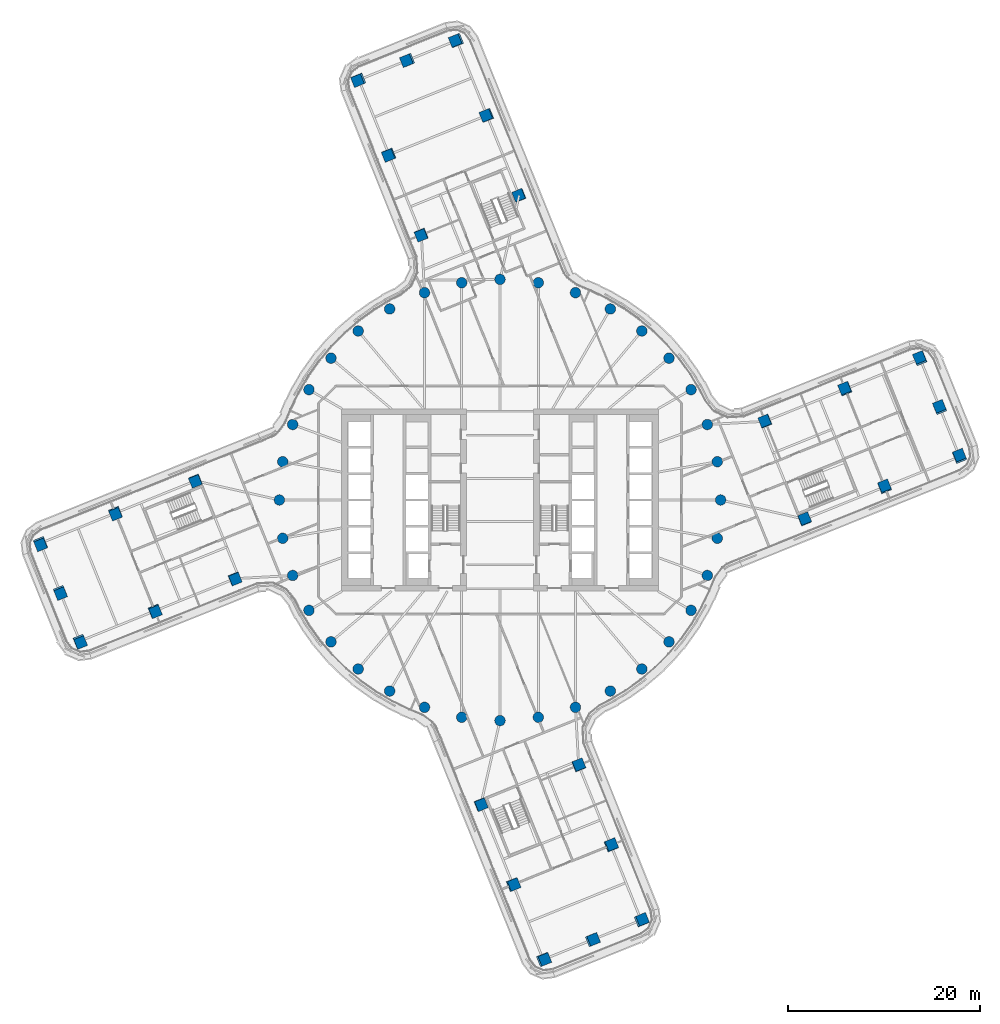
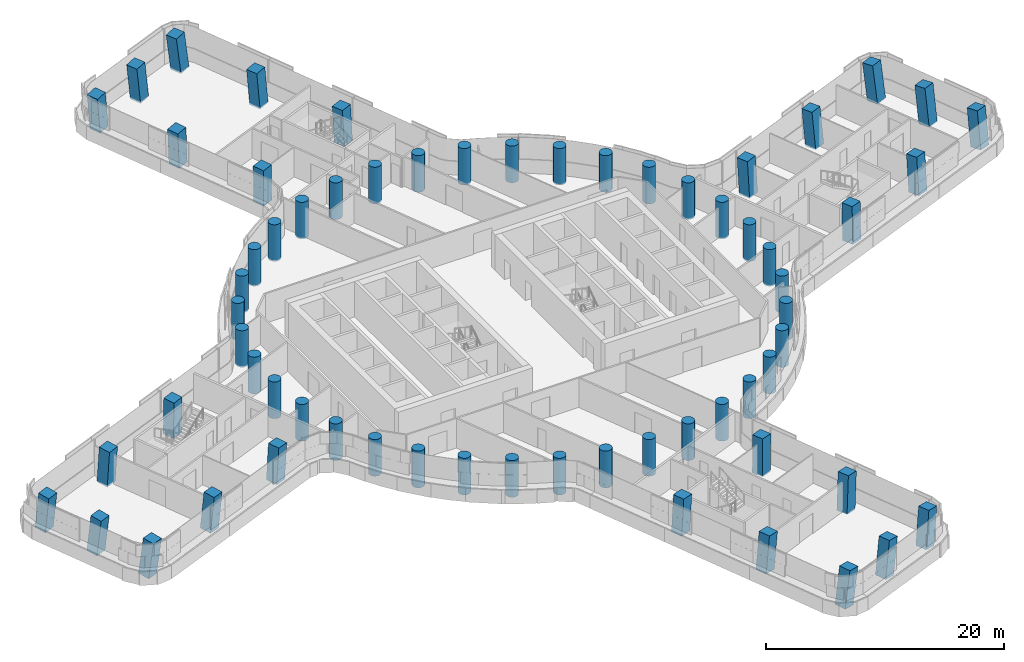
# One storey, part 1 of 32: 64 columns.
"""IFC4 building model written with IfcOpenShell, lengths in metres."""

from ifc_helpers import new_model, si_unit, direction, frame, origin, origin_2d, place, context, subcontext, project, spatial, rectangle, circle, extrude, material, material_profile, profile_set, type_object, element, save


model = new_model("IFC4")

# Units and contexts
model_context = context("Model", 3, precision=1e-05, world=origin(), true_north=direction((0.0, 1.0)))
body_context = subcontext(model_context, "Body", "Model", "MODEL_VIEW")
ifc_project = project(units=[si_unit("LENGTHUNIT", "METRE"), si_unit("AREAUNIT", "SQUARE_METRE"), si_unit("VOLUMEUNIT", "CUBIC_METRE"), si_unit("PLANEANGLEUNIT", "RADIAN"), si_unit("MASSUNIT", "GRAM", prefix="KILO")], contexts=[model_context])

# Site, building, storey
site_placement = place(None, origin())
site = spatial("IfcSite", under=ifc_project, at=site_placement, CompositionType="ELEMENT")
building_placement = place(site_placement, origin())
building = spatial("IfcBuilding", under=site, at=building_placement, Name="Tamarind Cross Interchange Tower", CompositionType="ELEMENT")
storey_placement = place(building_placement, frame((0.0, 0.0, 113.5)))
storey = spatial("IfcBuildingStorey", under=building, at=storey_placement, Name="L27", CompositionType="ELEMENT", Elevation=113.5)

# Columns
ifc_material = material(Name="Concrete C65", Category="concrete")
ifc_material_profile_1 = material_profile(ifc_material, rectangle(XDim=1.10009765625, YDim=1.10009765625, at=origin_2d()), Name="RC 1100x1100")
ifc_profile_set_1 = profile_set([ifc_material_profile_1], Name="Concrete C65")
column_type_1 = type_object("IfcColumnType", Name="Column RC 1100x1100 Concrete C65", PredefinedType="COLUMN", material=ifc_profile_set_1)
for number, where, z_axis, x_axis, name in (
    (1, (35.99169921875, 11.56591796875, -0.138427734375), (-0.056599028599, 0.067243800032, 0.996129921907), (0.371080049848, -0.92483768526, 0.08351558255), "Column L27-036"),
    (2, (40.10205078125, 1.362548828125, -0.138427734375), (-0.007399385984, 0.087624307707, 0.996126111387), (-0.927665611435, -0.37251425989, 0.025877394354), "Column L27-037"),
):
    element("IfcColumn", number, at=place(storey_placement, frame(where, z_axis=z_axis, x_axis=x_axis)), inside=storey, type_object=column_type_1, Name=name, PredefinedType="COLUMN", context=body_context, shape_type="SweptSolid", body=[
        extrude(rectangle(XDim=1.10009765625, YDim=1.10009765625, at=origin_2d()), origin(), (0.0, 0.0, 1.0), 3.761474609375),
    ])
for number, where, z_axis, x_axis, name in (
    (3, (27.643798828125, 8.202880859375, -0.138671875), (-0.040085930267, 0.027071017843, 0.998829454005), (0.372426997279, -0.927195791465, 0.040076127407), "Column L27-038"),
    (4, (31.75390625, -2.000244140625, -0.138671875), (0.009305674639, 0.047439418264, 0.998830769457), (-0.927649218713, -0.37252297939, 0.026335467474), "Column L27-039"),
):
    element("IfcColumn", number, at=place(storey_placement, frame(where, z_axis=z_axis, x_axis=x_axis)), inside=storey, type_object=column_type_1, Name=name, PredefinedType="COLUMN", context=body_context, shape_type="SweptSolid", body=[
        extrude(rectangle(XDim=1.10009765625, YDim=1.10009765625, at=origin_2d()), origin(), (0.0, 0.0, 1.0), 3.751708984375),
    ])
column_1_placement = place(storey_placement, frame((47.91259765625, 4.509033203125, -0.138427734375), z_axis=(-0.014796718148, 0.128195147627, 0.991638573905), x_axis=(-0.927823152066, -0.371451540908, 0.03417530171)))
element("IfcColumn", 5, at=column_1_placement, inside=storey, type_object=column_type_1, Name="Column L27-040", PredefinedType="COLUMN", context=body_context, shape_type="SweptSolid", body=[
    extrude(rectangle(XDim=1.10009765625, YDim=1.10009765625, at=origin_2d()), origin(), (0.0, 0.0, 1.0), 3.7783203125),
])
column_2_placement = place(storey_placement, frame((45.857666015625, 9.610595703125, -0.138671875), z_axis=(-0.039368184638, 0.118104553915, 0.992220469645), x_axis=(-0.927593385766, -0.37351292418, 0.007655465538)))
element("IfcColumn", 6, at=column_2_placement, inside=storey, type_object=column_type_1, Name="Column L27-041", PredefinedType="COLUMN", context=body_context, shape_type="SweptSolid", body=[
    extrude(rectangle(XDim=1.10009765625, YDim=1.10009765625, at=origin_2d()), origin(), (0.0, 0.0, 1.0), 3.776611328125),
])
column_3_placement = place(storey_placement, frame((43.802490234375, 14.712158203125, -0.138671875), z_axis=(-0.063860304902, 0.108006649283, 0.992096983751), x_axis=(0.369619760998, -0.920866068237, 0.124044010938)))
element("IfcColumn", 7, at=column_3_placement, inside=storey, type_object=column_type_1, Name="Column L27-042", PredefinedType="COLUMN", context=body_context, shape_type="SweptSolid", body=[
    extrude(rectangle(XDim=1.10009765625, YDim=1.10009765625, at=origin_2d()), origin(), (0.0, 0.0, 1.0), 3.777099609375),
])
for number, where, z_axis, x_axis, name in (
    (8, (-11.56591796875, 35.99169921875, -0.138427734375), (-0.067243800032, -0.056599028599, 0.996129921907), (0.92483768526, 0.371080049848, 0.08351558255), "Column L27-043"),
    (9, (-1.362548828125, 40.10205078125, -0.138427734375), (-0.087624307707, -0.007399385984, 0.996126111387), (0.37251425989, -0.927665611435, 0.025877394354), "Column L27-044"),
):
    element("IfcColumn", number, at=place(storey_placement, frame(where, z_axis=z_axis, x_axis=x_axis)), inside=storey, type_object=column_type_1, Name=name, PredefinedType="COLUMN", context=body_context, shape_type="SweptSolid", body=[
        extrude(rectangle(XDim=1.10009765625, YDim=1.10009765625, at=origin_2d()), origin(), (0.0, 0.0, 1.0), 3.761474609375),
    ])
for number, where, z_axis, x_axis, name in (
    (10, (-8.202880859375, 27.643798828125, -0.138671875), (-0.027071017843, -0.040085930267, 0.998829454005), (0.927195791465, 0.372426997279, 0.040076127407), "Column L27-045"),
    (11, (2.000244140625, 31.75390625, -0.138671875), (-0.047439418264, 0.009305674639, 0.998830769457), (0.37252297939, -0.927649218713, 0.026335467474), "Column L27-046"),
):
    element("IfcColumn", number, at=place(storey_placement, frame(where, z_axis=z_axis, x_axis=x_axis)), inside=storey, type_object=column_type_1, Name=name, PredefinedType="COLUMN", context=body_context, shape_type="SweptSolid", body=[
        extrude(rectangle(XDim=1.10009765625, YDim=1.10009765625, at=origin_2d()), origin(), (0.0, 0.0, 1.0), 3.751708984375),
    ])
column_4_placement = place(storey_placement, frame((-4.509033203125, 47.91259765625, -0.138427734375), z_axis=(-0.128195147627, -0.014796718148, 0.991638573905), x_axis=(0.371451540908, -0.927823152066, 0.03417530171)))
element("IfcColumn", 12, at=column_4_placement, inside=storey, type_object=column_type_1, Name="Column L27-047", PredefinedType="COLUMN", context=body_context, shape_type="SweptSolid", body=[
    extrude(rectangle(XDim=1.10009765625, YDim=1.10009765625, at=origin_2d()), origin(), (0.0, 0.0, 1.0), 3.7783203125),
])
column_5_placement = place(storey_placement, frame((-9.610595703125, 45.857666015625, -0.138671875), z_axis=(-0.118104553915, -0.039368184638, 0.992220469645), x_axis=(0.37351292418, -0.927593385766, 0.007655465538)))
element("IfcColumn", 13, at=column_5_placement, inside=storey, type_object=column_type_1, Name="Column L27-048", PredefinedType="COLUMN", context=body_context, shape_type="SweptSolid", body=[
    extrude(rectangle(XDim=1.10009765625, YDim=1.10009765625, at=origin_2d()), origin(), (0.0, 0.0, 1.0), 3.776611328125),
])
column_6_placement = place(storey_placement, frame((-14.712158203125, 43.802490234375, -0.138671875), z_axis=(-0.108006649283, -0.063860304902, 0.992096983751), x_axis=(0.920866068237, 0.369619760998, 0.124044010938)))
element("IfcColumn", 14, at=column_6_placement, inside=storey, type_object=column_type_1, Name="Column L27-049", PredefinedType="COLUMN", context=body_context, shape_type="SweptSolid", body=[
    extrude(rectangle(XDim=1.10009765625, YDim=1.10009765625, at=origin_2d()), origin(), (0.0, 0.0, 1.0), 3.777099609375),
])
for number, where, z_axis, x_axis, name in (
    (15, (-35.99169921875, -11.56591796875, -0.138427734375), (0.056599028599, -0.067243800032, 0.996129921907), (-0.371080049848, 0.92483768526, 0.08351558255), "Column L27-050"),
    (16, (-40.10205078125, -1.362548828125, -0.138427734375), (0.007399385984, -0.087624307707, 0.996126111387), (0.927665611435, 0.37251425989, 0.025877394354), "Column L27-051"),
):
    element("IfcColumn", number, at=place(storey_placement, frame(where, z_axis=z_axis, x_axis=x_axis)), inside=storey, type_object=column_type_1, Name=name, PredefinedType="COLUMN", context=body_context, shape_type="SweptSolid", body=[
        extrude(rectangle(XDim=1.10009765625, YDim=1.10009765625, at=origin_2d()), origin(), (0.0, 0.0, 1.0), 3.761474609375),
    ])
for number, where, z_axis, x_axis, name in (
    (17, (-27.643798828125, -8.202880859375, -0.138671875), (0.040085930267, -0.027071017843, 0.998829454005), (-0.372426997279, 0.927195791465, 0.040076127407), "Column L27-052"),
    (18, (-31.75390625, 2.000244140625, -0.138671875), (-0.009305674639, -0.047439418264, 0.998830769457), (0.927649218713, 0.37252297939, 0.026335467474), "Column L27-053"),
):
    element("IfcColumn", number, at=place(storey_placement, frame(where, z_axis=z_axis, x_axis=x_axis)), inside=storey, type_object=column_type_1, Name=name, PredefinedType="COLUMN", context=body_context, shape_type="SweptSolid", body=[
        extrude(rectangle(XDim=1.10009765625, YDim=1.10009765625, at=origin_2d()), origin(), (0.0, 0.0, 1.0), 3.751708984375),
    ])
column_7_placement = place(storey_placement, frame((-47.91259765625, -4.509033203125, -0.138427734375), z_axis=(0.014796718148, -0.128195147627, 0.991638573905), x_axis=(0.927823152066, 0.371451540908, 0.03417530171)))
element("IfcColumn", 19, at=column_7_placement, inside=storey, type_object=column_type_1, Name="Column L27-054", PredefinedType="COLUMN", context=body_context, shape_type="SweptSolid", body=[
    extrude(rectangle(XDim=1.10009765625, YDim=1.10009765625, at=origin_2d()), origin(), (0.0, 0.0, 1.0), 3.7783203125),
])
column_8_placement = place(storey_placement, frame((-45.857666015625, -9.610595703125, -0.138671875), z_axis=(0.039368184638, -0.118104553915, 0.992220469645), x_axis=(0.927593385766, 0.37351292418, 0.007655465538)))
element("IfcColumn", 20, at=column_8_placement, inside=storey, type_object=column_type_1, Name="Column L27-055", PredefinedType="COLUMN", context=body_context, shape_type="SweptSolid", body=[
    extrude(rectangle(XDim=1.10009765625, YDim=1.10009765625, at=origin_2d()), origin(), (0.0, 0.0, 1.0), 3.776611328125),
])
column_9_placement = place(storey_placement, frame((-43.802490234375, -14.712158203125, -0.138671875), z_axis=(0.063860304902, -0.108006649283, 0.992096983751), x_axis=(-0.369619760998, 0.920866068237, 0.124044010938)))
element("IfcColumn", 21, at=column_9_placement, inside=storey, type_object=column_type_1, Name="Column L27-056", PredefinedType="COLUMN", context=body_context, shape_type="SweptSolid", body=[
    extrude(rectangle(XDim=1.10009765625, YDim=1.10009765625, at=origin_2d()), origin(), (0.0, 0.0, 1.0), 3.777099609375),
])
for number, where, z_axis, x_axis, name in (
    (22, (11.56591796875, -35.99169921875, -0.138427734375), (0.067243800032, 0.056599028599, 0.996129921907), (-0.92483768526, -0.371080049848, 0.08351558255), "Column L27-057"),
    (23, (1.362548828125, -40.10205078125, -0.138427734375), (0.087624307707, 0.007399385984, 0.996126111387), (-0.37251425989, 0.927665611435, 0.025877394354), "Column L27-058"),
):
    element("IfcColumn", number, at=place(storey_placement, frame(where, z_axis=z_axis, x_axis=x_axis)), inside=storey, type_object=column_type_1, Name=name, PredefinedType="COLUMN", context=body_context, shape_type="SweptSolid", body=[
        extrude(rectangle(XDim=1.10009765625, YDim=1.10009765625, at=origin_2d()), origin(), (0.0, 0.0, 1.0), 3.761474609375),
    ])
for number, where, z_axis, x_axis, name in (
    (24, (8.202880859375, -27.643798828125, -0.138671875), (0.027071017843, 0.040085930267, 0.998829454005), (-0.927195791465, -0.372426997279, 0.040076127407), "Column L27-059"),
    (25, (-2.000244140625, -31.75390625, -0.138671875), (0.047439418264, -0.009305674639, 0.998830769457), (-0.37252297939, 0.927649218713, 0.026335467474), "Column L27-060"),
):
    element("IfcColumn", number, at=place(storey_placement, frame(where, z_axis=z_axis, x_axis=x_axis)), inside=storey, type_object=column_type_1, Name=name, PredefinedType="COLUMN", context=body_context, shape_type="SweptSolid", body=[
        extrude(rectangle(XDim=1.10009765625, YDim=1.10009765625, at=origin_2d()), origin(), (0.0, 0.0, 1.0), 3.751708984375),
    ])
column_10_placement = place(storey_placement, frame((4.509033203125, -47.91259765625, -0.138427734375), z_axis=(0.128195147627, 0.014796718148, 0.991638573905), x_axis=(-0.371451540908, 0.927823152066, 0.03417530171)))
element("IfcColumn", 26, at=column_10_placement, inside=storey, type_object=column_type_1, Name="Column L27-061", PredefinedType="COLUMN", context=body_context, shape_type="SweptSolid", body=[
    extrude(rectangle(XDim=1.10009765625, YDim=1.10009765625, at=origin_2d()), origin(), (0.0, 0.0, 1.0), 3.7783203125),
])
column_11_placement = place(storey_placement, frame((9.610595703125, -45.857666015625, -0.138671875), z_axis=(0.118104553915, 0.039368184638, 0.992220469645), x_axis=(-0.37351292418, 0.927593385766, 0.007655465538)))
element("IfcColumn", 27, at=column_11_placement, inside=storey, type_object=column_type_1, Name="Column L27-062", PredefinedType="COLUMN", context=body_context, shape_type="SweptSolid", body=[
    extrude(rectangle(XDim=1.10009765625, YDim=1.10009765625, at=origin_2d()), origin(), (0.0, 0.0, 1.0), 3.776611328125),
])
column_12_placement = place(storey_placement, frame((14.712158203125, -43.802490234375, -0.138671875), z_axis=(0.108006649283, 0.063860304902, 0.992096983751), x_axis=(-0.920866068237, -0.369619760998, 0.124044010938)))
element("IfcColumn", 28, at=column_12_placement, inside=storey, type_object=column_type_1, Name="Column L27-063", PredefinedType="COLUMN", context=body_context, shape_type="SweptSolid", body=[
    extrude(rectangle(XDim=1.10009765625, YDim=1.10009765625, at=origin_2d()), origin(), (0.0, 0.0, 1.0), 3.777099609375),
])
ifc_material_profile_2 = material_profile(ifc_material, circle(Radius=0.550048828125, at=origin_2d()), Name="RC D1100")
ifc_profile_set_2 = profile_set([ifc_material_profile_2], Name="Concrete C65")
column_type_2 = type_object("IfcColumnType", Name="Column RC D1100 Concrete C65", PredefinedType="COLUMN", material=ifc_profile_set_2)
for number, where, z_axis, x_axis, name in (
    (29, (23.0, 0.0, -0.139892578125), (0.0, 0.0, 1.0), (1.0, 0.0, 0.0), "Column L27-000"),
    (30, (22.650634765625, 3.993896484375, -0.139892578125), (0.0, 0.0, 1.0), (1.0, 0.0, 0.0), "Column L27-001"),
    (31, (21.613037109375, 7.866455078125, -0.139892578125), (0.0, 0.0, 1.0), (1.0, 0.0, 0.0), "Column L27-002"),
    (32, (19.918701171875, 11.5, -0.139892578125), (0.0, 0.0, 1.0), (1.0, 0.0, 0.0), "Column L27-003"),
    (33, (17.619140625, 14.7841796875, -0.139892578125), (0.0, 0.0, 1.0), (1.0, 0.0, 0.0), "Column L27-004"),
    (34, (14.7841796875, 17.619140625, -0.139892578125), (0.0, 0.0, 1.0), (1.0, 0.0, 0.0), "Column L27-005"),
    (35, (11.5, 19.918701171875, -0.139892578125), (0.0, 0.0, 1.0), (1.0, 0.0, 0.0), "Column L27-006"),
    (36, (7.866455078125, 21.613037109375, -0.139892578125), (0.0, 0.0, 1.0), (1.0, 0.0, 0.0), "Column L27-007"),
    (37, (3.993896484375, 22.650634765625, -0.139892578125), (0.0, 0.0, 1.0), (1.0, 0.0, 0.0), "Column L27-008"),
    (38, (0.0, 23.0, -0.139892578125), (0.0, 0.0, 1.0), (1.0, 0.0, 0.0), "Column L27-009"),
    (39, (-3.993896484375, 22.650634765625, -0.139892578125), (0.0, 0.0, 1.0), (1.0, 0.0, 0.0), "Column L27-010"),
    (40, (-7.866455078125, 21.613037109375, -0.139892578125), (0.0, 0.0, 1.0), (1.0, 0.0, 0.0), "Column L27-011"),
    (41, (-11.5, 19.918701171875, -0.139892578125), (0.0, 0.0, 1.0), (1.0, 0.0, 0.0), "Column L27-012"),
    (42, (-14.7841796875, 17.619140625, -0.139892578125), (0.0, 0.0, 1.0), (1.0, 0.0, 0.0), "Column L27-013"),
    (43, (-17.619140625, 14.7841796875, -0.139892578125), (0.0, 0.0, 1.0), (1.0, 0.0, 0.0), "Column L27-014"),
    (44, (-19.918701171875, 11.5, -0.139892578125), (0.0, 0.0, 1.0), (1.0, 0.0, 0.0), "Column L27-015"),
    (45, (-21.613037109375, 7.866455078125, -0.139892578125), (0.0, 0.0, 1.0), (1.0, 0.0, 0.0), "Column L27-016"),
    (46, (-22.650634765625, 3.993896484375, -0.139892578125), (0.0, 0.0, 1.0), (1.0, 0.0, 0.0), "Column L27-017"),
    (47, (-23.0, 0.0, -0.139892578125), (0.0, 0.0, 1.0), (1.0, 0.0, 0.0), "Column L27-018"),
    (48, (-22.650634765625, -3.993896484375, -0.139892578125), (0.0, 0.0, 1.0), (1.0, 0.0, 0.0), "Column L27-019"),
    (49, (-21.613037109375, -7.866455078125, -0.139892578125), (0.0, 0.0, 1.0), (1.0, 0.0, 0.0), "Column L27-020"),
    (50, (-19.918701171875, -11.5, -0.139892578125), (0.0, 0.0, 1.0), (1.0, 0.0, 0.0), "Column L27-021"),
    (51, (-17.619140625, -14.7841796875, -0.139892578125), (0.0, 0.0, 1.0), (1.0, 0.0, 0.0), "Column L27-022"),
    (52, (-14.7841796875, -17.619140625, -0.139892578125), (0.0, 0.0, 1.0), (1.0, 0.0, 0.0), "Column L27-023"),
    (53, (-11.5, -19.918701171875, -0.139892578125), (0.0, 0.0, 1.0), (1.0, 0.0, 0.0), "Column L27-024"),
    (54, (-7.866455078125, -21.613037109375, -0.139892578125), (0.0, 0.0, 1.0), (1.0, 0.0, 0.0), "Column L27-025"),
    (55, (-3.993896484375, -22.650634765625, -0.139892578125), (0.0, 0.0, 1.0), (1.0, 0.0, 0.0), "Column L27-026"),
    (56, (0.0, -23.0, -0.139892578125), (0.0, 0.0, 1.0), (1.0, 0.0, 0.0), "Column L27-027"),
    (57, (3.993896484375, -22.650634765625, -0.139892578125), (0.0, 0.0, 1.0), (1.0, 0.0, 0.0), "Column L27-028"),
    (58, (7.866455078125, -21.613037109375, -0.139892578125), (0.0, 0.0, 1.0), (1.0, 0.0, 0.0), "Column L27-029"),
    (59, (11.5, -19.918701171875, -0.139892578125), (0.0, 0.0, 1.0), (1.0, 0.0, 0.0), "Column L27-030"),
    (60, (14.7841796875, -17.619140625, -0.139892578125), (0.0, 0.0, 1.0), (1.0, 0.0, 0.0), "Column L27-031"),
    (61, (17.619140625, -14.7841796875, -0.139892578125), (0.0, 0.0, 1.0), (1.0, 0.0, 0.0), "Column L27-032"),
    (62, (19.918701171875, -11.5, -0.139892578125), (0.0, 0.0, 1.0), (1.0, 0.0, 0.0), "Column L27-033"),
    (63, (21.613037109375, -7.866455078125, -0.139892578125), (0.0, 0.0, 1.0), (1.0, 0.0, 0.0), "Column L27-034"),
    (64, (22.650634765625, -3.993896484375, -0.139892578125), (0.0, 0.0, 1.0), (1.0, 0.0, 0.0), "Column L27-035"),
):
    element("IfcColumn", number, at=place(storey_placement, frame(where, z_axis=z_axis, x_axis=x_axis)), inside=storey, type_object=column_type_2, Name=name, PredefinedType="COLUMN", context=body_context, shape_type="SweptSolid", body=[
        extrude(circle(Radius=0.550048828125, at=origin_2d()), origin(), (0.0, 0.0, 1.0), 3.75),
    ])

save(model, "model.ifc")
